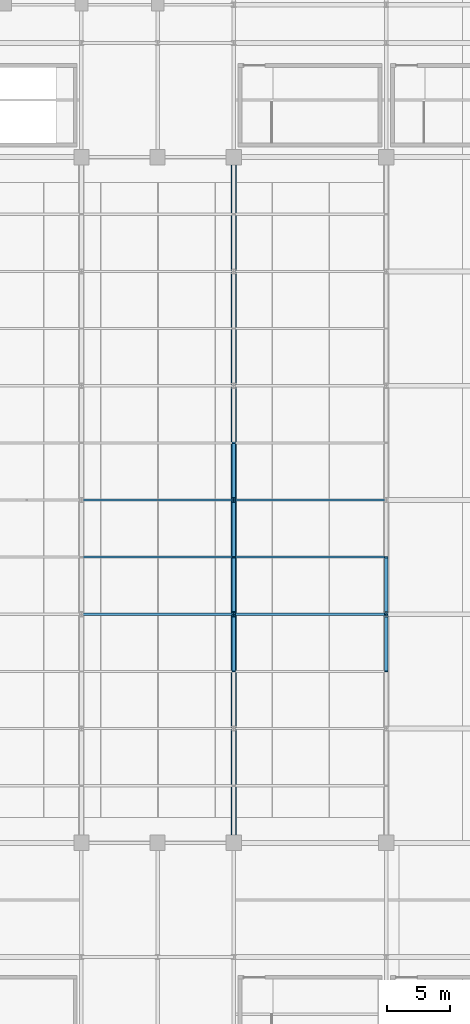
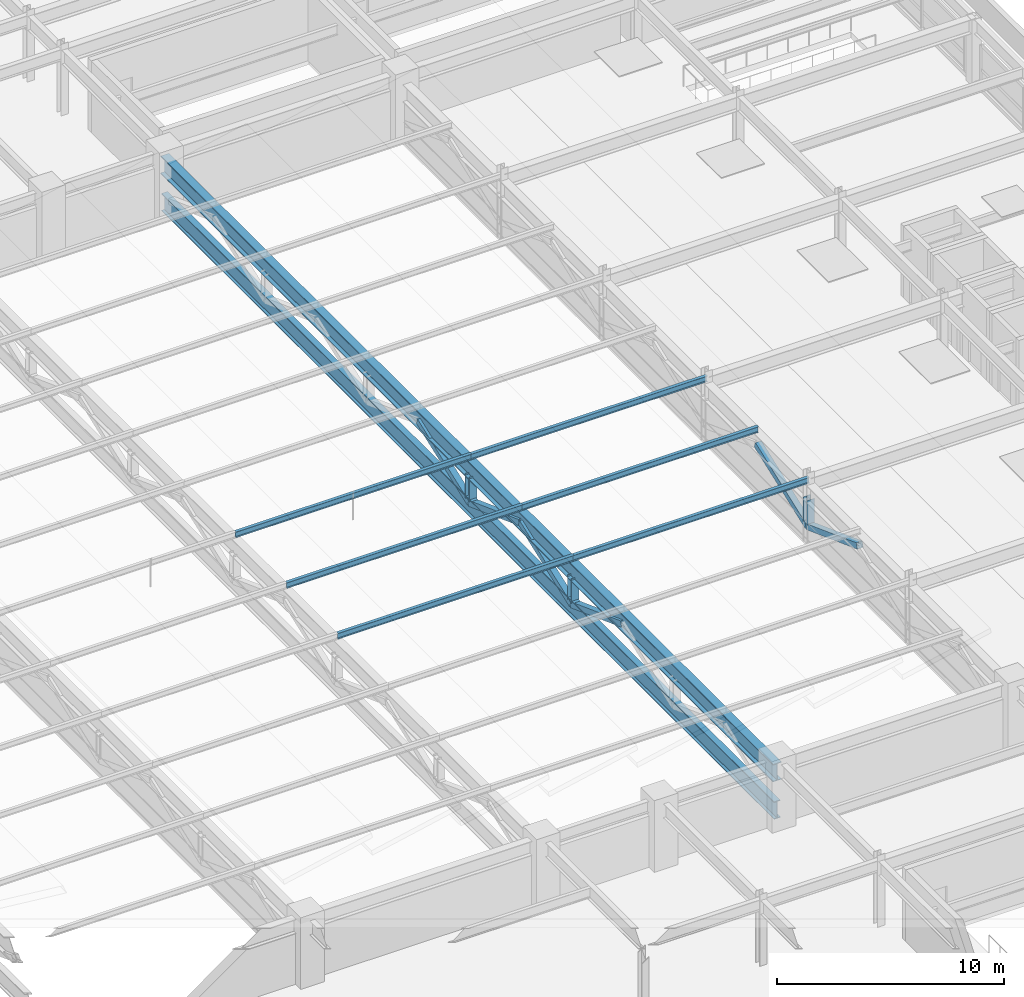
# One storey, part 39 of 108: 16 members, 1 beam.
"""IFC4 building model written with IfcOpenShell, lengths in metres."""

from ifc_helpers import new_model, si_unit, direction, frame, origin, origin_2d, place, context, subcontext, project, spatial, hollow_rectangle, i_section, extrude, material, material_profile, profile_set, type_object, element, save


model = new_model("IFC4")

# Units and contexts
model_context = context("Model", 3, precision=1e-05, world=origin(), true_north=direction((0.0, 1.0)))
body_context = subcontext(model_context, "Body", "Model", "MODEL_VIEW")
ifc_project = project(units=[si_unit("LENGTHUNIT", "METRE"), si_unit("AREAUNIT", "SQUARE_METRE"), si_unit("VOLUMEUNIT", "CUBIC_METRE"), si_unit("PLANEANGLEUNIT", "RADIAN"), si_unit("MASSUNIT", "GRAM", prefix="KILO")], contexts=[model_context])

# Site, building, storey
site_placement = place(None, origin())
site = spatial("IfcSite", under=ifc_project, at=site_placement, CompositionType="ELEMENT")
building_placement = place(site_placement, origin())
building = spatial("IfcBuilding", under=site, at=building_placement, Name="Kaldorvane Square Convention Centre", CompositionType="ELEMENT")
storey_placement = place(building_placement, frame((0.0, 0.0, 23.399993896484375)))
storey = spatial("IfcBuildingStorey", under=building, at=storey_placement, Name="L04", CompositionType="ELEMENT", Elevation=23.399993896484375)

# Beam
ifc_material_1 = material(Name="Steel ASTM A992 Gr. 50", Category="steel")
ifc_material_profile_1 = material_profile(ifc_material_1, i_section(OverallWidth=0.423004150390625, OverallDepth=0.9481964111328125, WebThickness=0.0240020751953125, FlangeThickness=0.042694091796875, FilletRadius=0.0240936279296875, at=origin_2d()), Name="W36X302")
ifc_profile_set_1 = profile_set([ifc_material_profile_1], Name="Steel ASTM A992 Gr. 50")
beam_type = type_object("IfcBeamType", Name="BM-GR-W36X302", PredefinedType="BEAM", material=ifc_profile_set_1)
beam_placement = place(storey_placement, frame((102.0, 18.0, 2.7335052490234375), z_axis=(0.0, 1.0, 0.0), x_axis=(-1.0, 0.0, 0.0)))
element("IfcBeam", 1, at=beam_placement, inside=storey, type_object=beam_type, Name="Hall Roof Truss RT-07 Top Chord", PredefinedType="BEAM", context=body_context, shape_type="SweptSolid", body=[
    extrude(i_section(OverallWidth=0.423004150390625, OverallDepth=0.9481964111328125, WebThickness=0.0240020751953125, FlangeThickness=0.042694091796875, FilletRadius=0.0240936279296875, at=origin_2d()), origin(), (0.0, 0.0, 1.0), 54.0),
])

# Members
ifc_material_2 = material(Name="Steel ASTM A500 Gr. C", Category="steel")
ifc_material_profile_2 = material_profile(ifc_material_2, hollow_rectangle(XDim=0.3047943115234375, YDim=0.3047943115234375, WallThickness=0.0117950439453125, at=origin_2d()), Name="HSS12X12X1/2")
ifc_profile_set_2 = profile_set([ifc_material_profile_2], Name="Steel ASTM A500 Gr. C")
member_type_1 = type_object("IfcMemberType", Name="MB-BR-HSS12", PredefinedType="BRACE", material=ifc_profile_set_2)
for number, where, z_axis, x_axis, name in (
    (2, (102.0, 31.5, 2.5535125732421875), (0.0, 0.937283847769, -0.348567050524), (-1.0, 0.0, 0.0), "Hall Roof Truss RT-07 Web 2B"),
    (3, (102.0, 36.0, 0.8800048828125), (0.0, 0.937283847769, 0.348567050524), (-1.0, 0.0, 0.0), "Hall Roof Truss RT-07 Web 3A"),
    (4, (102.0, 40.5, 2.5535125732421875), (0.0, 0.937283847769, -0.348567050524), (-1.0, 0.0, 0.0), "Hall Roof Truss RT-07 Web 3B"),
    (5, (102.0, 45.0, 0.8800048828125), (0.0, 0.937283847769, 0.348567050524), (-1.0, 0.0, 0.0), "Hall Roof Truss RT-07 Web 4A"),
    (6, (114.0, 31.5, 2.5535125732421875), (0.0, 0.937283847769, -0.348567050524), (-1.0, 0.0, 0.0), "Hall Roof Truss RT-08 Web 2B"),
    (7, (114.0, 36.0, 0.8800048828125), (0.0, 0.937283847769, 0.348567050524), (-1.0, 0.0, 0.0), "Hall Roof Truss RT-08 Web 3A"),
):
    element("IfcMember", number, at=place(storey_placement, frame(where, z_axis=z_axis, x_axis=x_axis)), inside=storey, type_object=member_type_1, Name=name, PredefinedType="BRACE", context=body_context, shape_type="SweptSolid", body=[
        extrude(hollow_rectangle(XDim=0.3047943115234375, YDim=0.3047943115234375, WallThickness=0.0117950439453125, at=origin_2d()), origin(), (0.0, 0.0, 1.0), 4.8011016845703125),
    ])
ifc_material_profile_3 = material_profile(ifc_material_1, i_section(OverallWidth=0.310302734375, OverallDepth=0.9506988525390625, WebThickness=0.0243988037109375, FlangeThickness=0.0438995361328125, FilletRadius=0.0240936279296875, at=origin_2d()), Name="W36X256")
ifc_profile_set_3 = profile_set([ifc_material_profile_3], Name="Steel ASTM A992 Gr. 50")
member_type_2 = type_object("IfcMemberType", Name="MB-CH-W36X256", PredefinedType="CHORD", material=ifc_profile_set_3)
member_placement = place(storey_placement, frame((102.0, 18.0, 0.70001220703125), z_axis=(0.0, 1.0, 0.0), x_axis=(-1.0, 0.0, 0.0)))
element("IfcMember", 8, at=member_placement, inside=storey, type_object=member_type_2, Name="Hall Roof Truss RT-07 Bottom Chord", PredefinedType="CHORD", context=body_context, shape_type="SweptSolid", body=[
    extrude(i_section(OverallWidth=0.310302734375, OverallDepth=0.9506988525390625, WebThickness=0.0243988037109375, FlangeThickness=0.0438995361328125, FilletRadius=0.0240936279296875, at=origin_2d()), origin(), (0.0, 0.0, 1.0), 54.0),
])
ifc_material_profile_4 = material_profile(ifc_material_1, i_section(OverallWidth=0.164794921875, OverallDepth=0.310394287109375, WebThickness=0.00579833984375, FlangeThickness=0.00970458984375, FilletRadius=0.007598876953125, at=origin_2d()), Name="W12X26")
ifc_profile_set_4 = profile_set([ifc_material_profile_4], Name="Steel ASTM A992 Gr. 50")
member_type_3 = type_object("IfcMemberType", Name="MB-PR-W12X26", PredefinedType="PURLIN", material=ifc_profile_set_4)
for number, where, z_axis, x_axis, name in (
    (9, (90.0, 36.0, 3.3628082275390625), (1.0, 0.0, 0.0), (0.0, 1.0, 0.0), "Hall Roof Steel Purlin"),
    (10, (90.0, 40.5, 3.3628082275390625), (1.0, 0.0, 0.0), (0.0, 1.0, 0.0), "Hall Roof Steel Purlin"),
    (11, (90.0, 45.0, 3.3628082275390625), (1.0, 0.0, 0.0), (0.0, 1.0, 0.0), "Hall Roof Steel Purlin"),
    (12, (102.0, 36.0, 3.3628082275390625), (1.0, 0.0, 0.0), (0.0, 1.0, 0.0), "Hall Roof Steel Purlin"),
    (13, (102.0, 40.5, 3.3628082275390625), (1.0, 0.0, 0.0), (0.0, 1.0, 0.0), "Hall Roof Steel Purlin"),
    (14, (102.0, 45.0, 3.3628082275390625), (1.0, 0.0, 0.0), (0.0, 1.0, 0.0), "Hall Roof Steel Purlin"),
):
    element("IfcMember", number, at=place(storey_placement, frame(where, z_axis=z_axis, x_axis=x_axis)), inside=storey, type_object=member_type_3, Name=name, PredefinedType="PURLIN", context=body_context, shape_type="SweptSolid", body=[
        extrude(i_section(OverallWidth=0.164794921875, OverallDepth=0.310394287109375, WebThickness=0.00579833984375, FlangeThickness=0.00970458984375, FilletRadius=0.007598876953125, at=origin_2d()), origin(), (0.0, 0.0, 1.0), 12.0),
    ])
ifc_material_profile_5 = material_profile(ifc_material_1, i_section(OverallWidth=0.373992919921875, OverallDepth=0.372406005859375, WebThickness=0.0164031982421875, FlangeThickness=0.0261993408203125, FilletRadius=0.0305023193359375, at=origin_2d()), Name="W14X132")
ifc_profile_set_5 = profile_set([ifc_material_profile_5], Name="Steel ASTM A992 Gr. 50")
member_type_4 = type_object("IfcMemberType", Name="MB-PS-W14X132", PredefinedType="POST", material=ifc_profile_set_5)
for number, where, z_axis, x_axis, name in (
    (15, (102.0, 36.0, 1.0500030517578125), (0.0, 0.0, 1.0), (1.0, 0.0, 0.0), "Hall Roof Truss RT-07 Post 2"),
    (16, (102.0, 45.0, 1.0500030517578125), (0.0, 0.0, 1.0), (1.0, 0.0, 0.0), "Hall Roof Truss RT-07 Post 3"),
    (17, (114.0, 36.0, 1.0500030517578125), (0.0, 0.0, 1.0), (1.0, 0.0, 0.0), "Hall Roof Truss RT-08 Post 2"),
):
    element("IfcMember", number, at=place(storey_placement, frame(where, z_axis=z_axis, x_axis=x_axis)), inside=storey, type_object=member_type_4, Name=name, PredefinedType="POST", context=body_context, shape_type="SweptSolid", body=[
        extrude(i_section(OverallWidth=0.373992919921875, OverallDepth=0.372406005859375, WebThickness=0.0164031982421875, FlangeThickness=0.0261993408203125, FilletRadius=0.0305023193359375, at=origin_2d()), origin(), (0.0, 0.0, 1.0), 1.33349609375),
    ])

save(model, "model.ifc")
